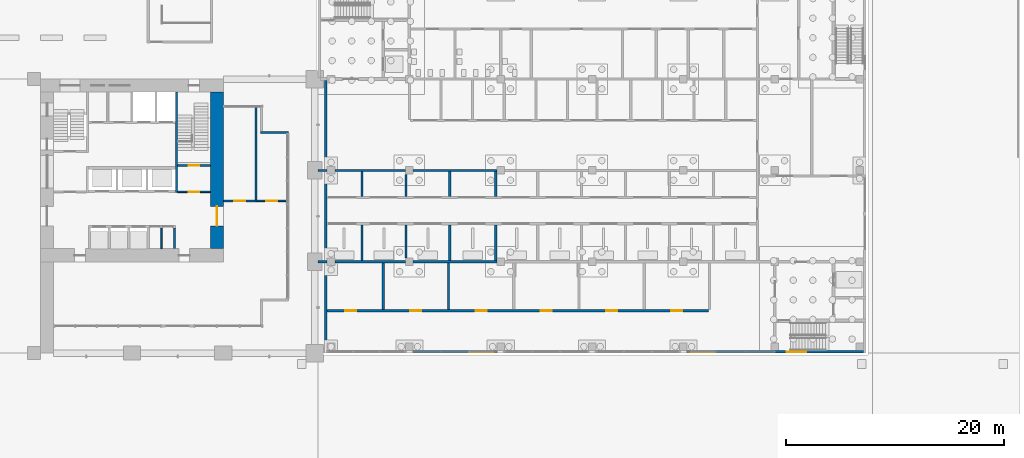
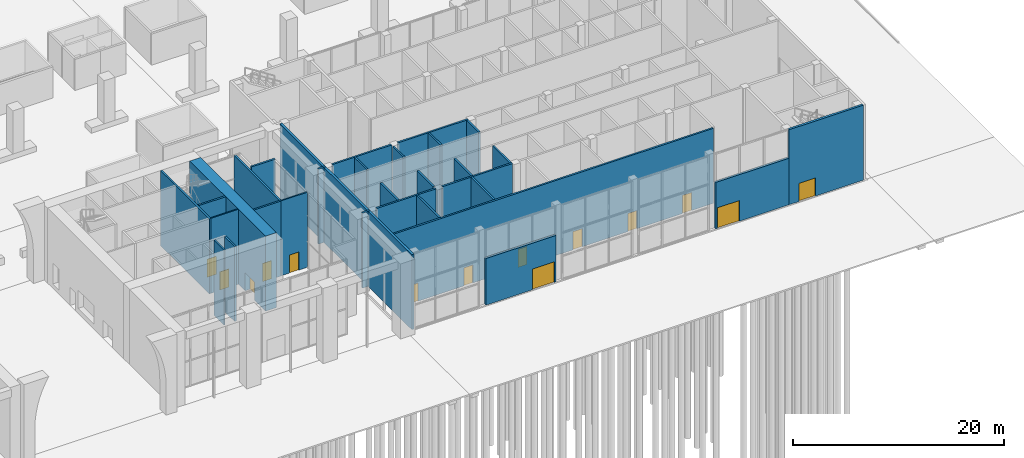
# One storey, part 23 of 46: 31 walls, 14 doors, 14 openings.
"""IFC4 building model written with IfcOpenShell, lengths in metres."""

import ifcopenshell
import ifcopenshell.guid

model = None  # the IFC model being written
_history = None  # IfcOwnerHistory: only IFC2X3 demands one
_inside = {}  # id of a spatial element -> (the spatial element, [elements in it])
_under = {}  # id of a project, library or spatial element -> (it, [spatial elements below it])
_declared = {}  # id of a project -> (the project, [libraries it declares])
_typed = {}  # id of a type object -> (the type object, [elements of that type])
_made_of = {}  # id of a material, layer set ... -> (it, [elements and type objects made of it])


def new_model(schema):
    """Start an empty IFC model of exactly this schema.

    Asked for "IFC4X3", IfcOpenShell would pick the latest addendum, in which some entities
    have other attributes; the version numbers below select the first issue.
    IFC2X3 requires an IfcOwnerHistory on every rooted entity: one is made here for all.
    """
    global model, _history
    if schema == "IFC4X3":
        model = ifcopenshell.file(schema_version=(4, 3, 0, 0))
    else:
        model = ifcopenshell.file(schema=schema)
    _inside.clear()
    _under.clear()
    _declared.clear()
    _typed.clear()
    _made_of.clear()
    _history = None
    if model.schema == "IFC2X3":
        org = make("IfcOrganization", Name="unknown")
        user = make(
            "IfcPersonAndOrganization",
            ThePerson=make("IfcPerson", FamilyName="unknown"),
            TheOrganization=org,
        )
        app = make(
            "IfcApplication",
            ApplicationDeveloper=org,
            Version="unknown",
            ApplicationFullName="unknown",
            ApplicationIdentifier="unknown",
        )
        _history = make(
            "IfcOwnerHistory",
            OwningUser=user,
            OwningApplication=app,
            ChangeAction="ADDED",
            CreationDate=0,
        )
    return model


def make(cls, **values):
    """One entity of the class cls with the attributes given. An attribute that is None is left unset."""
    return model.create_entity(
        cls, **{name: value for name, value in values.items() if value is not None}
    )


def rooted(cls, **values):
    """An entity with a GlobalId (a new one), such as an element, a storey or a relation."""
    return make(cls, GlobalId=ifcopenshell.guid.new(), OwnerHistory=_history, **values)


def si_unit(unit_type, name, prefix=None):
    """IfcSIUnit, for example si_unit("LENGTHUNIT", "METRE", prefix="MILLI")."""
    return make("IfcSIUnit", UnitType=unit_type, Prefix=prefix, Name=name)


def assignment(units):
    """IfcUnitAssignment: the units of a project."""
    return None if units is None else make("IfcUnitAssignment", Units=units)


def point(xyz):
    """IfcCartesianPoint."""
    return None if xyz is None else make("IfcCartesianPoint", Coordinates=xyz)


def direction(xyz):
    """IfcDirection."""
    return None if xyz is None else make("IfcDirection", DirectionRatios=xyz)


def frame(location, z_axis=None, x_axis=None):
    """IfcAxis2Placement3D, a coordinate frame: its origin and axes. An axis left out is left unset."""
    return make(
        "IfcAxis2Placement3D",
        Location=point(location),
        Axis=direction(z_axis),
        RefDirection=direction(x_axis),
    )


def frame_2d(location, x_axis=None):
    """IfcAxis2Placement2D, a coordinate frame in the plane: its origin and x axis."""
    return make(
        "IfcAxis2Placement2D", Location=point(location), RefDirection=direction(x_axis)
    )


def origin():
    """The frame at (0, 0, 0) with its axes left unset."""
    return frame((0.0, 0.0, 0.0))


def place(relative_to, where):
    """IfcLocalPlacement: puts the frame where relative to a parent placement (None: the world)."""
    return make(
        "IfcLocalPlacement", PlacementRelTo=relative_to, RelativePlacement=where
    )


def context(
    kind, dimensions, precision=None, world=None, true_north=None, identifier=None
):
    """IfcGeometricRepresentationContext, for example the 3D "Model" context."""
    return make(
        "IfcGeometricRepresentationContext",
        ContextIdentifier=identifier,
        ContextType=kind,
        CoordinateSpaceDimension=dimensions,
        Precision=precision,
        WorldCoordinateSystem=world,
        TrueNorth=true_north,
    )


def subcontext(parent, identifier, kind, view, scale=None):
    """IfcGeometricRepresentationSubContext, for example "Body" below "Model"."""
    return make(
        "IfcGeometricRepresentationSubContext",
        ContextIdentifier=identifier,
        ContextType=kind,
        ParentContext=parent,
        TargetScale=scale,
        TargetView=view,
    )


def project(units=None, contexts=None):
    """IfcProject with its units and contexts."""
    return rooted(
        "IfcProject",
        Name="project",
        RepresentationContexts=contexts,
        UnitsInContext=assignment(units),
    )


def spatial(cls, under=None, at=None, **own):
    """A site, building, storey or space (cls), placed at a placement, below another one or the project."""
    s = rooted(cls, ObjectPlacement=at, **own)
    if under is not None:
        _under.setdefault(under.id(), (under, []))[1].append(s)
    return s


def profile(cls, at=None, kind="AREA", **sizes):
    """A parametric profile (cls). Its sizes go by their IFC names, for example OverallWidth=200.0."""
    return make(cls, ProfileType=kind, Position=at, **sizes)


def rectangle(**sizes):
    """IfcRectangleProfileDef."""
    return profile("IfcRectangleProfileDef", **sizes)


def extrude(swept, where, along, depth):
    """IfcExtrudedAreaSolid: the profile swept, set in the frame where, extruded along a direction by depth."""
    return make(
        "IfcExtrudedAreaSolid",
        SweptArea=swept,
        Position=where,
        ExtrudedDirection=direction(along),
        Depth=depth,
    )


def shape(context_of_items, identifier, shape_type, items):
    """IfcShapeRepresentation: the items that make up one representation, for example the "Body"."""
    return make(
        "IfcShapeRepresentation",
        ContextOfItems=context_of_items,
        RepresentationIdentifier=identifier,
        RepresentationType=shape_type,
        Items=items,
    )


def material(Name=None, Category=None):
    """IfcMaterial."""
    return make("IfcMaterial", Name=Name, Category=Category)


def layer(
    of_material, thickness, ventilated=None, Name=None, Category=None, Priority=None
):
    """IfcMaterialLayer: one layer of a wall or slab, of a material (None: an air gap)."""
    return make(
        "IfcMaterialLayer",
        Material=of_material,
        LayerThickness=thickness,
        IsVentilated=ventilated,
        Name=Name,
        Category=Category,
        Priority=Priority,
    )


def layer_set(layers, Name=None):
    """IfcMaterialLayerSet."""
    return make("IfcMaterialLayerSet", MaterialLayers=layers, LayerSetName=Name)


def made_of(thing, what):
    """Note that an element or type object is made of a material, layer set ...; save() writes the relation."""
    if what is not None:
        _made_of.setdefault(what.id(), (what, []))[1].append(thing)
    return thing


def type_object(cls, material=None, **own):
    """A type object (cls), such as IfcWallType, which elements share."""
    return made_of(rooted(cls, **own), material)


def element(
    cls,
    number,
    at=None,
    inside=None,
    cuts=None,
    type_object=None,
    material=None,
    context=None,
    identifier="Body",
    shape_type=None,
    held_by="IfcProductDefinitionShape",
    body=None,
    shapes=None,
    **own,
):
    """One element of the class cls, such as IfcWall. Its Tag is "e" and its number.

    at: its placement. inside: the storey or other place that contains it. cuts: it is an
    opening in that element (IfcRelVoidsElement). A single representation is given by context,
    identifier, shape_type and body (its items); several are given by shapes. held_by: the class
    of the entity that holds the representations. save() writes the other relations.
    """
    e = rooted(cls, Tag="e%d" % number, ObjectPlacement=at, **own)
    if body is not None:
        shapes = [shape(context, identifier, shape_type, body)]
    if shapes is not None:
        e.Representation = make(held_by, Representations=shapes)
    if inside is not None:
        _inside.setdefault(inside.id(), (inside, []))[1].append(e)
    if cuts is not None:
        rooted(
            "IfcRelVoidsElement", RelatingBuildingElement=cuts, RelatedOpeningElement=e
        )
    if type_object is not None:
        _typed.setdefault(type_object.id(), (type_object, []))[1].append(e)
    return made_of(e, material)


def fill(opening, filler):
    """IfcRelFillsElement: the door or window that sits in an opening."""
    return rooted(
        "IfcRelFillsElement",
        RelatingOpeningElement=opening,
        RelatedBuildingElement=filler,
    )


def aggregate(whole, parts):
    """IfcRelAggregates: a whole, such as a stair, and the parts it consists of."""
    return rooted("IfcRelAggregates", RelatingObject=whole, RelatedObjects=parts)


def save(model, path):
    """Write the relations noted so far, then the file.

    IfcRelAggregates (storeys below a building ...), IfcRelContainedInSpatialStructure (elements
    in a storey), IfcRelDefinesByType, IfcRelAssociatesMaterial and IfcRelDeclares: one each for
    every whole, place, type object, material and project.
    """
    for whole, parts in _under.values():
        aggregate(whole, parts)
    for where, things in _inside.values():
        rooted(
            "IfcRelContainedInSpatialStructure",
            RelatedElements=things,
            RelatingStructure=where,
        )
    for kind, things in _typed.values():
        rooted("IfcRelDefinesByType", RelatedObjects=things, RelatingType=kind)
    for what, things in _made_of.values():
        rooted("IfcRelAssociatesMaterial", RelatedObjects=things, RelatingMaterial=what)
    for by, libraries in _declared.values():
        rooted("IfcRelDeclares", RelatingContext=by, RelatedDefinitions=libraries)
    model.write(path)


model = new_model("IFC4")

# Units and contexts
model_context = context("Model", 3, precision=1e-05, world=origin(), true_north=direction((0.0, 1.0)))
body_context = subcontext(model_context, "Body", "Model", "MODEL_VIEW")
ifc_project = project(units=[si_unit("LENGTHUNIT", "METRE"), si_unit("AREAUNIT", "SQUARE_METRE"), si_unit("VOLUMEUNIT", "CUBIC_METRE"), si_unit("PLANEANGLEUNIT", "RADIAN"), si_unit("MASSUNIT", "GRAM", prefix="KILO")], contexts=[model_context])

# Site, building, storey
site_placement = place(None, origin())
site = spatial("IfcSite", under=ifc_project, at=site_placement, CompositionType="ELEMENT")
building_placement = place(site_placement, origin())
building = spatial("IfcBuilding", under=site, at=building_placement, Name="Vermilion Gate Residences", CompositionType="ELEMENT")
storey_placement = place(building_placement, origin())
storey = spatial("IfcBuildingStorey", under=building, at=storey_placement, Name="L00", CompositionType="ELEMENT", Elevation=0.0)

# Wall
ifc_material_1 = material(Name="Masonry blockwork", Category="masonry")
ifc_layer_1 = layer(ifc_material_1, 0.14990234375)
ifc_layer_set_1 = layer_set([ifc_layer_1], Name="BLOCKWORK PARTITION 150 EI 120")
wall_type_1 = type_object("IfcWallType", Name="BLOCKWORK PARTITION 150 EI 120", PredefinedType="PARTITIONING", material=ifc_layer_set_1)
wall_1_placement = place(storey_placement, frame((53.10009765625, 9.60009765625, 0.0), z_axis=(0.0, 0.0, 1.0), x_axis=(0.0, 1.0, 0.0)))
element("IfcWall", 1, at=wall_1_placement, inside=storey, type_object=wall_type_1, Name="Core room partition A00-SR-P0", PredefinedType="PARTITIONING", context=body_context, shape_type="SweptSolid", body=[
    extrude(rectangle(XDim=1.89990234375, YDim=0.14990234375, at=frame_2d((0.949951171875, 0.0))), origin(), (0.0, 0.0, 1.0), 8.699951171875),
])

# Wall, opening, door
wall_2_placement = place(storey_placement, frame((54.60009765625, 14.824951171875, 0.0), z_axis=(0.0, 0.0, 1.0), x_axis=(1.0, 0.0, 0.0)))
wall_2 = element("IfcWall", 2, at=wall_2_placement, inside=storey, type_object=wall_type_1, Name="Core room partition A00-VE-S", PredefinedType="PARTITIONING", context=body_context, shape_type="SweptSolid", body=[
    extrude(rectangle(XDim=3.0, YDim=0.14990234375, at=frame_2d((1.5, 0.0))), origin(), (0.0, 0.0, 1.0), 8.699951171875),
])
opening_1_placement = place(wall_2_placement, frame((1.0, 0.0, 0.0)))
opening_1 = element("IfcOpeningElement", 3, at=opening_1_placement, cuts=wall_2, Name="Opening DK00021", PredefinedType="OPENING", context=body_context, shape_type="SweptSolid", body=[
    extrude(rectangle(XDim=1.0, YDim=2.10009765625, at=frame_2d((0.5, 1.050048828125))), frame((0.0, 0.0849609375, 0.0), z_axis=(0.0, -1.0, 0.0), x_axis=(1.0, 0.0, 0.0)), (0.0, 0.0, 1.0), 0.169921875),
])
ifc_material_2 = material(Name="Steel", Category="steel")
door_type_1 = type_object("IfcDoorType", Name="FIRE DOOR FD60 1000 X 2100", OperationType="SINGLE_SWING_LEFT", PredefinedType="DOOR", material=ifc_material_2)
door_1_placement = place(opening_1_placement, frame((1.0, 0.0, 0.0), z_axis=(0.0, 0.0, 1.0), x_axis=(-1.0, 0.0, 0.0)))
door_1 = element("IfcDoor", 4, at=door_1_placement, inside=storey, type_object=door_type_1, Name="Stair vestibule door A00", OperationType="SINGLE_SWING_LEFT", OverallHeight=2.10009765625, OverallWidth=1.0, PredefinedType="DOOR", context=body_context, shape_type="SweptSolid", body=[
    extrude(rectangle(XDim=1.0, YDim=2.10009765625, at=frame_2d((0.5, 1.050048828125))), frame((0.0, 0.02490234375, 0.0), z_axis=(0.0, -1.0, 0.0), x_axis=(1.0, 0.0, 0.0)), (0.0, 0.0, 1.0), 0.050048828125),
])
fill(opening_1, door_1)

# Walls
ifc_material_3 = material(Name="Insulated steel stud wall with terracotta rainscreen", Category="masonry")
ifc_layer_2 = layer(ifc_material_3, 0.199951171875)
ifc_layer_set_2 = layer_set([ifc_layer_2], Name="EXTERNAL WALL 200 TERRACOTTA RAINSCREEN")
wall_type_2 = type_object("IfcWallType", Name="EXTERNAL WALL 200 TERRACOTTA RAINSCREEN", PredefinedType="SOLIDWALL", material=ifc_layer_set_2)
wall_3_placement = place(storey_placement, frame((64.800048828125, 20.300048828125, 0.0), z_axis=(0.0, 0.0, 1.0), x_axis=(-1.0, 0.0, 0.0)))
element("IfcWall", 5, at=wall_3_placement, inside=storey, type_object=wall_type_2, Name="External wall", PredefinedType="SOLIDWALL", context=body_context, shape_type="SweptSolid", body=[
    extrude(rectangle(XDim=2.60009765625, YDim=0.199951171875, at=frame_2d((1.300048828125, 0.0))), origin(), (0.0, 0.0, 1.0), 8.699951171875),
])
ifc_material_4 = material(Name="Insulated masonry", Category="masonry")
ifc_layer_3 = layer(ifc_material_4, 0.25)
ifc_layer_set_3 = layer_set([ifc_layer_3], Name="EXTERNAL WALL 250 MASONRY (MARKET HALL)")
wall_type_3 = type_object("IfcWallType", Name="EXTERNAL WALL 250 MASONRY (MARKET HALL)", PredefinedType="SOLIDWALL", material=ifc_layer_set_3)
wall_4_placement = place(storey_placement, frame((68.22509765625, 0.0, 0.0), z_axis=(0.0, 0.0, 1.0), x_axis=(0.0, 1.0, 0.0)))
element("IfcWall", 6, at=wall_4_placement, inside=storey, type_object=wall_type_3, Name="External wall L00-46", PredefinedType="SOLIDWALL", context=body_context, shape_type="SweptSolid", body=[
    extrude(rectangle(XDim=25.074951171875, YDim=0.25, at=frame_2d((12.53759765625, 0.0))), origin(), (0.0, 0.0, 1.0), 8.699951171875),
])

# Wall, opening, door
ifc_material_5 = material(Name="Insulated masonry", Category="masonry")
ifc_layer_4 = layer(ifc_material_5, 0.25)
ifc_layer_set_4 = layer_set([ifc_layer_4], Name="EXTERNAL WALL 250 MASONRY 5400 HIGH (MARKET HALL)")
wall_type_4 = type_object("IfcWallType", Name="EXTERNAL WALL 250 MASONRY 5400 HIGH (MARKET HALL)", PredefinedType="SOLIDWALL", material=ifc_layer_set_4)
wall_5_placement = place(storey_placement, frame((76.25, 0.125, 0.0), z_axis=(0.0, 0.0, 1.0), x_axis=(1.0, 0.0, 0.0)))
wall_5 = element("IfcWall", 7, at=wall_5_placement, inside=storey, type_object=wall_type_4, Name="External wall L00-2", PredefinedType="SOLIDWALL", context=body_context, shape_type="SweptSolid", body=[
    extrude(rectangle(XDim=7.699951171875, YDim=0.25, at=frame_2d((3.85009765625, 0.0))), origin(), (0.0, 0.0, 1.0), 5.39990234375),
])
opening_2_placement = place(wall_5_placement, frame((5.10009765625, 0.0, 0.0)))
opening_2 = element("IfcOpeningElement", 8, at=opening_2_placement, cuts=wall_5, Name="Opening DH00056", PredefinedType="OPENING", context=body_context, shape_type="SweptSolid", body=[
    extrude(rectangle(XDim=2.39990234375, YDim=2.39990234375, at=frame_2d((1.199951171875, 1.199951171875))), frame((0.0, 0.135009765625, 0.0), z_axis=(0.0, -1.0, 0.0), x_axis=(1.0, 0.0, 0.0)), (0.0, 0.0, 1.0), 0.27001953125),
])
ifc_material_6 = material(Name="Aluminium and glass", Category="aluminium")
door_type_2 = type_object("IfcDoorType", Name="ENTRANCE DOOR 2400 X 2400 DOUBLE (MARKET HALL)", OperationType="DOUBLE_DOOR_SINGLE_SWING", PredefinedType="DOOR", material=ifc_material_6)
door_2_placement = place(opening_2_placement, frame((2.39990234375, 0.0, 0.0), z_axis=(0.0, 0.0, 1.0), x_axis=(-1.0, 0.0, 0.0)))
door_2 = element("IfcDoor", 9, at=door_2_placement, inside=storey, type_object=door_type_2, Name="Entrance door DH00056", OperationType="DOUBLE_DOOR_SINGLE_SWING", OverallHeight=2.39990234375, OverallWidth=2.39990234375, PredefinedType="DOOR", context=body_context, shape_type="SweptSolid", body=[
    extrude(rectangle(XDim=2.39990234375, YDim=2.39990234375, at=frame_2d((1.199951171875, 1.199951171875))), frame((0.0, 0.02490234375, 0.0), z_axis=(0.0, -1.0, 0.0), x_axis=(1.0, 0.0, 0.0)), (0.0, 0.0, 1.0), 0.050048828125),
])
fill(opening_2, door_2)

wall_6_placement = place(storey_placement, frame((101.449951171875, 0.125, 0.0), z_axis=(0.0, 0.0, 1.0), x_axis=(1.0, 0.0, 0.0)))
wall_6 = element("IfcWall", 10, at=wall_6_placement, inside=storey, type_object=wall_type_4, Name="External wall L00-5", PredefinedType="SOLIDWALL", context=body_context, shape_type="SweptSolid", body=[
    extrude(rectangle(XDim=8.050048828125, YDim=0.25, at=frame_2d((4.02490234375, 0.0))), origin(), (0.0, 0.0, 1.0), 5.39990234375),
])
opening_3_placement = place(wall_6_placement, frame((0.199951171875, 0.0, 0.0)))
opening_3 = element("IfcOpeningElement", 11, at=opening_3_placement, cuts=wall_6, Name="Opening DH00057", PredefinedType="OPENING", context=body_context, shape_type="SweptSolid", body=[
    extrude(rectangle(XDim=2.39990234375, YDim=2.39990234375, at=frame_2d((1.199951171875, 1.199951171875))), frame((0.0, 0.135009765625, 0.0), z_axis=(0.0, -1.0, 0.0), x_axis=(1.0, 0.0, 0.0)), (0.0, 0.0, 1.0), 0.27001953125),
])
door_3_placement = place(opening_3_placement, frame((2.39990234375, 0.0, 0.0), z_axis=(0.0, 0.0, 1.0), x_axis=(-1.0, 0.0, 0.0)))
door_3 = element("IfcDoor", 12, at=door_3_placement, inside=storey, type_object=door_type_2, Name="Entrance door DH00057", OperationType="DOUBLE_DOOR_SINGLE_SWING", OverallHeight=2.39990234375, OverallWidth=2.39990234375, PredefinedType="DOOR", context=body_context, shape_type="SweptSolid", body=[
    extrude(rectangle(XDim=2.39990234375, YDim=2.39990234375, at=frame_2d((1.199951171875, 1.199951171875))), frame((0.0, 0.02490234375, 0.0), z_axis=(0.0, -1.0, 0.0), x_axis=(1.0, 0.0, 0.0)), (0.0, 0.0, 1.0), 0.050048828125),
])
fill(opening_3, door_3)

ifc_material_7 = material(Name="Concrete blockwork", Category="masonry")
ifc_layer_5 = layer(ifc_material_7, 0.199951171875)
ifc_layer_set_5 = layer_set([ifc_layer_5], Name="FULL-HEIGHT FIRE WALL 200 EI 120 (AMENITY)")
wall_type_5 = type_object("IfcWallType", Name="FULL-HEIGHT FIRE WALL 200 EI 120 (AMENITY)", PredefinedType="PARTITIONING", material=ifc_layer_set_5)
wall_7_placement = place(storey_placement, frame((58.800048828125, 14.0, 0.0), z_axis=(0.0, 0.0, 1.0), x_axis=(1.0, 0.0, 0.0)))
wall_7 = element("IfcWall", 13, at=wall_7_placement, inside=storey, type_object=wall_type_5, Name="Fire-resisting wall 26", PredefinedType="PARTITIONING", context=body_context, shape_type="SweptSolid", body=[
    extrude(rectangle(XDim=3.0, YDim=0.199951171875, at=frame_2d((1.5, 0.0))), origin(), (0.0, 0.0, 1.0), 8.699951171875),
])
opening_4_placement = place(wall_7_placement, frame((1.0, 0.0, 0.0)))
opening_4 = element("IfcOpeningElement", 14, at=opening_4_placement, cuts=wall_7, Name="Opening DM00009", PredefinedType="OPENING", context=body_context, shape_type="SweptSolid", body=[
    extrude(rectangle(XDim=1.0, YDim=2.10009765625, at=frame_2d((0.5, 1.050048828125))), frame((0.0, 0.10986328125, 0.0), z_axis=(0.0, -1.0, 0.0), x_axis=(1.0, 0.0, 0.0)), (0.0, 0.0, 1.0), 0.219970703125),
])
ifc_material_8 = material(Name="Steel", Category="steel")
door_type_3 = type_object("IfcDoorType", Name="DOOR 1000 X 2100 FD60 (AMENITY)", OperationType="SINGLE_SWING_LEFT", PredefinedType="DOOR", material=ifc_material_8)
door_4_placement = place(opening_4_placement, origin())
door_4 = element("IfcDoor", 15, at=door_4_placement, inside=storey, type_object=door_type_3, Name="Door L00 9", OperationType="SINGLE_SWING_RIGHT", OverallHeight=2.10009765625, OverallWidth=1.0, PredefinedType="DOOR", context=body_context, shape_type="SweptSolid", body=[
    extrude(rectangle(XDim=1.0, YDim=2.10009765625, at=frame_2d((0.5, 1.050048828125))), frame((0.0, 0.02490234375, 0.0), z_axis=(0.0, -1.0, 0.0), x_axis=(1.0, 0.0, 0.0)), (0.0, 0.0, 1.0), 0.050048828125),
])
fill(opening_4, door_4)

# Wall
wall_8_placement = place(storey_placement, frame((61.800048828125, 14.10009765625, 0.0), z_axis=(0.0, 0.0, 1.0), x_axis=(0.0, 1.0, 0.0)))
element("IfcWall", 16, at=wall_8_placement, inside=storey, type_object=wall_type_5, Name="Fire-resisting wall 27", PredefinedType="PARTITIONING", context=body_context, shape_type="SweptSolid", body=[
    extrude(rectangle(XDim=8.599853515625, YDim=0.199951171875, at=frame_2d((4.2998046875, 0.0))), origin(), (0.0, 0.0, 1.0), 8.699951171875),
])

# Wall, opening, door
ifc_material_9 = material(Name="Gypsum board on steel studs", Category="steel")
ifc_layer_6 = layer(ifc_material_9, 0.14990234375)
ifc_layer_set_6 = layer_set([ifc_layer_6], Name="PARTITION 150 EI 60 (AMENITY)")
wall_type_6 = type_object("IfcWallType", Name="PARTITION 150 EI 60 (AMENITY)", PredefinedType="PARTITIONING", material=ifc_layer_set_6)
wall_9_placement = place(storey_placement, frame((61.800048828125, 14.0, 0.0), z_axis=(0.0, 0.0, 1.0), x_axis=(1.0, 0.0, 0.0)))
wall_9 = element("IfcWall", 17, at=wall_9_placement, inside=storey, type_object=wall_type_6, Name="Partition 28", PredefinedType="PARTITIONING", context=body_context, shape_type="SweptSolid", body=[
    extrude(rectangle(XDim=2.89990234375, YDim=0.14990234375, at=frame_2d((1.449951171875, 0.0))), origin(), (0.0, 0.0, 1.0), 8.699951171875),
])
opening_5_placement = place(wall_9_placement, frame((0.949951171875, 0.0, 0.0)))
opening_5 = element("IfcOpeningElement", 18, at=opening_5_placement, cuts=wall_9, Name="Opening DM00010", PredefinedType="OPENING", context=body_context, shape_type="SweptSolid", body=[
    extrude(rectangle(XDim=1.0, YDim=2.10009765625, at=frame_2d((0.5, 1.050048828125))), frame((0.0, 0.0849609375, 0.0), z_axis=(0.0, -1.0, 0.0), x_axis=(1.0, 0.0, 0.0)), (0.0, 0.0, 1.0), 0.169921875),
])
ifc_material_10 = material(Name="Steel", Category="steel")
door_type_4 = type_object("IfcDoorType", Name="DOOR 1000 X 2100 FD30 (AMENITY)", OperationType="SINGLE_SWING_LEFT", PredefinedType="DOOR", material=ifc_material_10)
door_5_placement = place(opening_5_placement, origin())
door_5 = element("IfcDoor", 19, at=door_5_placement, inside=storey, type_object=door_type_4, Name="Door L00 10", OperationType="SINGLE_SWING_LEFT", OverallHeight=2.10009765625, OverallWidth=1.0, PredefinedType="DOOR", context=body_context, shape_type="SweptSolid", body=[
    extrude(rectangle(XDim=1.0, YDim=2.10009765625, at=frame_2d((0.5, 1.050048828125))), frame((0.0, 0.02490234375, 0.0), z_axis=(0.0, -1.0, 0.0), x_axis=(1.0, 0.0, 0.0)), (0.0, 0.0, 1.0), 0.050048828125),
])
fill(opening_5, door_5)

# Wall, openings, doors
ifc_material_11 = material(Name="Masonry", Category="masonry")
ifc_layer_7 = layer(ifc_material_11, 0.199951171875)
ifc_layer_set_7 = layer_set([ifc_layer_7], Name="PARTITION 200 MASONRY EI 60 (MARKET HALL)")
wall_type_7 = type_object("IfcWallType", Name="PARTITION 200 MASONRY EI 60 (MARKET HALL)", PredefinedType="PARTITIONING", material=ifc_layer_set_7)
wall_10_placement = place(storey_placement, frame((68.35009765625, 3.89990234375, 0.0), z_axis=(0.0, 0.0, 1.0), x_axis=(1.0, 0.0, 0.0)))
wall_10 = element("IfcWall", 20, at=wall_10_placement, inside=storey, type_object=wall_type_7, Name="Partition wall L00-8", PredefinedType="PARTITIONING", context=body_context, shape_type="SweptSolid", body=[
    extrude(rectangle(XDim=35.0498046875, YDim=0.199951171875, at=frame_2d((17.52490234375, 0.0))), origin(), (0.0, 0.0, 1.0), 8.699951171875),
])
opening_6_placement = place(wall_10_placement, frame((1.64990234375, 0.0, 0.0)))
opening_6 = element("IfcOpeningElement", 21, at=opening_6_placement, cuts=wall_10, Name="Opening DH00001", PredefinedType="OPENING", context=body_context, shape_type="SweptSolid", body=[
    extrude(rectangle(XDim=1.0, YDim=2.10009765625, at=frame_2d((0.5, 1.050048828125))), frame((0.0, 0.10986328125, 0.0), z_axis=(0.0, -1.0, 0.0), x_axis=(1.0, 0.0, 0.0)), (0.0, 0.0, 1.0), 0.219970703125),
])
opening_7_placement = place(wall_10_placement, frame((7.64990234375, 0.0, 0.0)))
opening_7 = element("IfcOpeningElement", 22, at=opening_7_placement, cuts=wall_10, Name="Opening DH00002", PredefinedType="OPENING", context=body_context, shape_type="SweptSolid", body=[
    extrude(rectangle(XDim=1.0, YDim=2.10009765625, at=frame_2d((0.5, 1.050048828125))), frame((0.0, 0.10986328125, 0.0), z_axis=(0.0, -1.0, 0.0), x_axis=(1.0, 0.0, 0.0)), (0.0, 0.0, 1.0), 0.219970703125),
])
opening_8_placement = place(wall_10_placement, frame((13.64990234375, 0.0, 0.0)))
opening_8 = element("IfcOpeningElement", 23, at=opening_8_placement, cuts=wall_10, Name="Opening DH00003", PredefinedType="OPENING", context=body_context, shape_type="SweptSolid", body=[
    extrude(rectangle(XDim=1.0, YDim=2.10009765625, at=frame_2d((0.5, 1.050048828125))), frame((0.0, 0.10986328125, 0.0), z_axis=(0.0, -1.0, 0.0), x_axis=(1.0, 0.0, 0.0)), (0.0, 0.0, 1.0), 0.219970703125),
])
opening_9_placement = place(wall_10_placement, frame((19.64990234375, 0.0, 0.0)))
opening_9 = element("IfcOpeningElement", 24, at=opening_9_placement, cuts=wall_10, Name="Opening DH00004", PredefinedType="OPENING", context=body_context, shape_type="SweptSolid", body=[
    extrude(rectangle(XDim=1.0, YDim=2.10009765625, at=frame_2d((0.5, 1.050048828125))), frame((0.0, 0.10986328125, 0.0), z_axis=(0.0, -1.0, 0.0), x_axis=(1.0, 0.0, 0.0)), (0.0, 0.0, 1.0), 0.219970703125),
])
opening_10_placement = place(wall_10_placement, frame((25.64990234375, 0.0, 0.0)))
opening_10 = element("IfcOpeningElement", 25, at=opening_10_placement, cuts=wall_10, Name="Opening DH00005", PredefinedType="OPENING", context=body_context, shape_type="SweptSolid", body=[
    extrude(rectangle(XDim=1.0, YDim=2.10009765625, at=frame_2d((0.5, 1.050048828125))), frame((0.0, 0.10986328125, 0.0), z_axis=(0.0, -1.0, 0.0), x_axis=(1.0, 0.0, 0.0)), (0.0, 0.0, 1.0), 0.219970703125),
])
opening_11_placement = place(wall_10_placement, frame((31.64990234375, 0.0, 0.0)))
opening_11 = element("IfcOpeningElement", 26, at=opening_11_placement, cuts=wall_10, Name="Opening DH00006", PredefinedType="OPENING", context=body_context, shape_type="SweptSolid", body=[
    extrude(rectangle(XDim=1.0, YDim=2.10009765625, at=frame_2d((0.5, 1.050048828125))), frame((0.0, 0.10986328125, 0.0), z_axis=(0.0, -1.0, 0.0), x_axis=(1.0, 0.0, 0.0)), (0.0, 0.0, 1.0), 0.219970703125),
])
ifc_material_12 = material(Name="Steel", Category="steel")
door_type_5 = type_object("IfcDoorType", Name="FIRE DOOR FD30 1000 X 2100 (MARKET HALL)", OperationType="SINGLE_SWING_LEFT", PredefinedType="DOOR", material=ifc_material_12)
door_6_placement = place(opening_6_placement, origin())
door_6 = element("IfcDoor", 27, at=door_6_placement, inside=storey, type_object=door_type_5, Name="Fire door DH00001", OperationType="SINGLE_SWING_LEFT", OverallHeight=2.10009765625, OverallWidth=1.0, PredefinedType="DOOR", context=body_context, shape_type="SweptSolid", body=[
    extrude(rectangle(XDim=1.0, YDim=2.10009765625, at=frame_2d((0.5, 1.050048828125))), frame((0.0, 0.02490234375, 0.0), z_axis=(0.0, -1.0, 0.0), x_axis=(1.0, 0.0, 0.0)), (0.0, 0.0, 1.0), 0.050048828125),
])
fill(opening_6, door_6)
door_7_placement = place(opening_7_placement, origin())
door_7 = element("IfcDoor", 28, at=door_7_placement, inside=storey, type_object=door_type_5, Name="Fire door DH00002", OperationType="SINGLE_SWING_LEFT", OverallHeight=2.10009765625, OverallWidth=1.0, PredefinedType="DOOR", context=body_context, shape_type="SweptSolid", body=[
    extrude(rectangle(XDim=1.0, YDim=2.10009765625, at=frame_2d((0.5, 1.050048828125))), frame((0.0, 0.02490234375, 0.0), z_axis=(0.0, -1.0, 0.0), x_axis=(1.0, 0.0, 0.0)), (0.0, 0.0, 1.0), 0.050048828125),
])
fill(opening_7, door_7)
door_8_placement = place(opening_8_placement, origin())
door_8 = element("IfcDoor", 29, at=door_8_placement, inside=storey, type_object=door_type_5, Name="Fire door DH00003", OperationType="SINGLE_SWING_LEFT", OverallHeight=2.10009765625, OverallWidth=1.0, PredefinedType="DOOR", context=body_context, shape_type="SweptSolid", body=[
    extrude(rectangle(XDim=1.0, YDim=2.10009765625, at=frame_2d((0.5, 1.050048828125))), frame((0.0, 0.02490234375, 0.0), z_axis=(0.0, -1.0, 0.0), x_axis=(1.0, 0.0, 0.0)), (0.0, 0.0, 1.0), 0.050048828125),
])
fill(opening_8, door_8)
door_9_placement = place(opening_9_placement, origin())
door_9 = element("IfcDoor", 30, at=door_9_placement, inside=storey, type_object=door_type_5, Name="Fire door DH00004", OperationType="SINGLE_SWING_LEFT", OverallHeight=2.10009765625, OverallWidth=1.0, PredefinedType="DOOR", context=body_context, shape_type="SweptSolid", body=[
    extrude(rectangle(XDim=1.0, YDim=2.10009765625, at=frame_2d((0.5, 1.050048828125))), frame((0.0, 0.02490234375, 0.0), z_axis=(0.0, -1.0, 0.0), x_axis=(1.0, 0.0, 0.0)), (0.0, 0.0, 1.0), 0.050048828125),
])
fill(opening_9, door_9)
door_10_placement = place(opening_10_placement, origin())
door_10 = element("IfcDoor", 31, at=door_10_placement, inside=storey, type_object=door_type_5, Name="Fire door DH00005", OperationType="SINGLE_SWING_LEFT", OverallHeight=2.10009765625, OverallWidth=1.0, PredefinedType="DOOR", context=body_context, shape_type="SweptSolid", body=[
    extrude(rectangle(XDim=1.0, YDim=2.10009765625, at=frame_2d((0.5, 1.050048828125))), frame((0.0, 0.02490234375, 0.0), z_axis=(0.0, -1.0, 0.0), x_axis=(1.0, 0.0, 0.0)), (0.0, 0.0, 1.0), 0.050048828125),
])
fill(opening_10, door_10)
door_11_placement = place(opening_11_placement, origin())
door_11 = element("IfcDoor", 32, at=door_11_placement, inside=storey, type_object=door_type_5, Name="Fire door DH00006", OperationType="SINGLE_SWING_LEFT", OverallHeight=2.10009765625, OverallWidth=1.0, PredefinedType="DOOR", context=body_context, shape_type="SweptSolid", body=[
    extrude(rectangle(XDim=1.0, YDim=2.10009765625, at=frame_2d((0.5, 1.050048828125))), frame((0.0, 0.02490234375, 0.0), z_axis=(0.0, -1.0, 0.0), x_axis=(1.0, 0.0, 0.0)), (0.0, 0.0, 1.0), 0.050048828125),
])
fill(opening_11, door_11)

# Walls
wall_11_placement = place(storey_placement, frame((67.5, 8.39990234375, 0.0), z_axis=(0.0, 0.0, 1.0), x_axis=(1.0, 0.0, 0.0)))
element("IfcWall", 33, at=wall_11_placement, inside=storey, type_object=wall_type_7, Name="Partition wall L00-10", PredefinedType="PARTITIONING", context=body_context, shape_type="SweptSolid", body=[
    extrude(rectangle(XDim=0.85009765625, YDim=0.199951171875, at=frame_2d((0.425048828125, 0.0))), origin(), (0.0, 0.0, 1.0), 8.699951171875),
])
wall_12_placement = place(storey_placement, frame((69.050048828125, 8.39990234375, 0.0), z_axis=(0.0, 0.0, 1.0), x_axis=(1.0, 0.0, 0.0)))
element("IfcWall", 34, at=wall_12_placement, inside=storey, type_object=wall_type_7, Name="Partition wall L00-11", PredefinedType="PARTITIONING", context=body_context, shape_type="SweptSolid", body=[
    extrude(rectangle(XDim=6.5, YDim=0.199951171875, at=frame_2d((3.25, 0.0))), origin(), (0.0, 0.0, 1.0), 8.699951171875),
])
wall_13_placement = place(storey_placement, frame((76.25, 8.39990234375, 0.0), z_axis=(0.0, 0.0, 1.0), x_axis=(1.0, 0.0, 0.0)))
element("IfcWall", 35, at=wall_13_placement, inside=storey, type_object=wall_type_7, Name="Partition wall L00-12", PredefinedType="PARTITIONING", context=body_context, shape_type="SweptSolid", body=[
    extrude(rectangle(XDim=7.699951171875, YDim=0.199951171875, at=frame_2d((3.85009765625, 0.0))), origin(), (0.0, 0.0, 1.0), 8.699951171875),
])
wall_14_placement = place(storey_placement, frame((67.5, 16.800048828125, 0.0), z_axis=(0.0, 0.0, 1.0), x_axis=(1.0, 0.0, 0.0)))
element("IfcWall", 36, at=wall_14_placement, inside=storey, type_object=wall_type_7, Name="Partition wall L00-20", PredefinedType="PARTITIONING", context=body_context, shape_type="SweptSolid", body=[
    extrude(rectangle(XDim=0.85009765625, YDim=0.199951171875, at=frame_2d((0.425048828125, 0.0))), origin(), (0.0, 0.0, 1.0), 8.699951171875),
])
wall_15_placement = place(storey_placement, frame((69.050048828125, 16.800048828125, 0.0), z_axis=(0.0, 0.0, 1.0), x_axis=(1.0, 0.0, 0.0)))
element("IfcWall", 37, at=wall_15_placement, inside=storey, type_object=wall_type_7, Name="Partition wall L00-21", PredefinedType="PARTITIONING", context=body_context, shape_type="SweptSolid", body=[
    extrude(rectangle(XDim=6.5, YDim=0.199951171875, at=frame_2d((3.25, 0.0))), origin(), (0.0, 0.0, 1.0), 8.699951171875),
])
wall_16_placement = place(storey_placement, frame((76.25, 16.800048828125, 0.0), z_axis=(0.0, 0.0, 1.0), x_axis=(1.0, 0.0, 0.0)))
element("IfcWall", 38, at=wall_16_placement, inside=storey, type_object=wall_type_7, Name="Partition wall L00-22", PredefinedType="PARTITIONING", context=body_context, shape_type="SweptSolid", body=[
    extrude(rectangle(XDim=7.699951171875, YDim=0.199951171875, at=frame_2d((3.85009765625, 0.0))), origin(), (0.0, 0.0, 1.0), 8.699951171875),
])
wall_17_placement = place(storey_placement, frame((71.5400390625, 8.5, 0.0), z_axis=(0.0, 0.0, 1.0), x_axis=(0.0, 1.0, 0.0)))
element("IfcWall", 39, at=wall_17_placement, inside=storey, type_object=wall_type_7, Name="Partition wall L00-47", PredefinedType="PARTITIONING", context=body_context, shape_type="SweptSolid", body=[
    extrude(rectangle(XDim=3.300048828125, YDim=0.199951171875, at=frame_2d((1.64990234375, 0.0))), origin(), (0.0, 0.0, 1.0), 8.699951171875),
])
wall_18_placement = place(storey_placement, frame((71.5400390625, 14.39990234375, 0.0), z_axis=(0.0, 0.0, 1.0), x_axis=(0.0, 1.0, 0.0)))
element("IfcWall", 40, at=wall_18_placement, inside=storey, type_object=wall_type_7, Name="Partition wall L00-48", PredefinedType="PARTITIONING", context=body_context, shape_type="SweptSolid", body=[
    extrude(rectangle(XDim=2.300048828125, YDim=0.199951171875, at=frame_2d((1.14990234375, 0.0))), origin(), (0.0, 0.0, 1.0), 8.699951171875),
])
wall_19_placement = place(storey_placement, frame((73.5, 4.0, 0.0), z_axis=(0.0, 0.0, 1.0), x_axis=(0.0, 1.0, 0.0)))
element("IfcWall", 41, at=wall_19_placement, inside=storey, type_object=wall_type_7, Name="Partition wall L00-49", PredefinedType="PARTITIONING", context=body_context, shape_type="SweptSolid", body=[
    extrude(rectangle(XDim=4.300048828125, YDim=0.199951171875, at=frame_2d((2.14990234375, 0.0))), origin(), (0.0, 0.0, 1.0), 8.699951171875),
])
wall_20_placement = place(storey_placement, frame((75.580078125, 8.75, 0.0), z_axis=(0.0, 0.0, 1.0), x_axis=(0.0, 1.0, 0.0)))
element("IfcWall", 42, at=wall_20_placement, inside=storey, type_object=wall_type_7, Name="Partition wall L00-51", PredefinedType="PARTITIONING", context=body_context, shape_type="SweptSolid", body=[
    extrude(rectangle(XDim=3.050048828125, YDim=0.199951171875, at=frame_2d((1.52490234375, 0.0))), origin(), (0.0, 0.0, 1.0), 8.699951171875),
])
wall_21_placement = place(storey_placement, frame((75.580078125, 14.39990234375, 0.0), z_axis=(0.0, 0.0, 1.0), x_axis=(0.0, 1.0, 0.0)))
element("IfcWall", 43, at=wall_21_placement, inside=storey, type_object=wall_type_7, Name="Partition wall L00-52", PredefinedType="PARTITIONING", context=body_context, shape_type="SweptSolid", body=[
    extrude(rectangle(XDim=2.050048828125, YDim=0.199951171875, at=frame_2d((1.02490234375, 0.0))), origin(), (0.0, 0.0, 1.0), 8.699951171875),
])
wall_22_placement = place(storey_placement, frame((79.5, 4.0, 0.0), z_axis=(0.0, 0.0, 1.0), x_axis=(0.0, 1.0, 0.0)))
element("IfcWall", 44, at=wall_22_placement, inside=storey, type_object=wall_type_7, Name="Partition wall L00-56", PredefinedType="PARTITIONING", context=body_context, shape_type="SweptSolid", body=[
    extrude(rectangle(XDim=4.300048828125, YDim=0.199951171875, at=frame_2d((2.14990234375, 0.0))), origin(), (0.0, 0.0, 1.0), 8.699951171875),
])
wall_23_placement = place(storey_placement, frame((79.6201171875, 8.5, 0.0), z_axis=(0.0, 0.0, 1.0), x_axis=(0.0, 1.0, 0.0)))
element("IfcWall", 45, at=wall_23_placement, inside=storey, type_object=wall_type_7, Name="Partition wall L00-57", PredefinedType="PARTITIONING", context=body_context, shape_type="SweptSolid", body=[
    extrude(rectangle(XDim=3.300048828125, YDim=0.199951171875, at=frame_2d((1.64990234375, 0.0))), origin(), (0.0, 0.0, 1.0), 8.699951171875),
])
wall_24_placement = place(storey_placement, frame((79.6201171875, 14.39990234375, 0.0), z_axis=(0.0, 0.0, 1.0), x_axis=(0.0, 1.0, 0.0)))
element("IfcWall", 46, at=wall_24_placement, inside=storey, type_object=wall_type_7, Name="Partition wall L00-58", PredefinedType="PARTITIONING", context=body_context, shape_type="SweptSolid", body=[
    extrude(rectangle(XDim=2.300048828125, YDim=0.199951171875, at=frame_2d((1.14990234375, 0.0))), origin(), (0.0, 0.0, 1.0), 8.699951171875),
])
wall_25_placement = place(storey_placement, frame((83.85009765625, 8.5, 0.0), z_axis=(0.0, 0.0, 1.0), x_axis=(0.0, 1.0, 0.0)))
element("IfcWall", 47, at=wall_25_placement, inside=storey, type_object=wall_type_7, Name="Partition wall L00-61", PredefinedType="PARTITIONING", context=body_context, shape_type="SweptSolid", body=[
    extrude(rectangle(XDim=3.300048828125, YDim=0.199951171875, at=frame_2d((1.64990234375, 0.0))), origin(), (0.0, 0.0, 1.0), 8.699951171875),
])
wall_26_placement = place(storey_placement, frame((83.85009765625, 14.39990234375, 0.0), z_axis=(0.0, 0.0, 1.0), x_axis=(0.0, 1.0, 0.0)))
element("IfcWall", 48, at=wall_26_placement, inside=storey, type_object=wall_type_7, Name="Partition wall L00-62", PredefinedType="PARTITIONING", context=body_context, shape_type="SweptSolid", body=[
    extrude(rectangle(XDim=2.300048828125, YDim=0.199951171875, at=frame_2d((1.14990234375, 0.0))), origin(), (0.0, 0.0, 1.0), 8.699951171875),
])
ifc_material_13 = material(Name="Concrete C60", Category="concrete")
ifc_layer_8 = layer(ifc_material_13, 0.199951171875)
ifc_layer_set_8 = layer_set([ifc_layer_8], Name="RC CORE INTERNAL WALL 200 C60")
wall_type_8 = type_object("IfcWallType", Name="RC CORE INTERNAL WALL 200 C60", PredefinedType="SHEAR", material=ifc_layer_set_8)
wall_27_placement = place(storey_placement, frame((54.300048828125, 9.60009765625, 0.0), z_axis=(0.0, 0.0, 1.0), x_axis=(0.0, 1.0, 0.0)))
element("IfcWall", 49, at=wall_27_placement, inside=storey, type_object=wall_type_8, Name="Core internal wall A00-LR-DE", PredefinedType="SHEAR", context=body_context, shape_type="SweptSolid", body=[
    extrude(rectangle(XDim=1.89990234375, YDim=0.199951171875, at=frame_2d((0.949951171875, 0.0))), origin(), (0.0, 0.0, 1.0), 8.699951171875),
])
wall_28_placement = place(storey_placement, frame((54.5, 14.75, 0.0), z_axis=(0.0, 0.0, 1.0), x_axis=(0.0, 1.0, 0.0)))
element("IfcWall", 50, at=wall_28_placement, inside=storey, type_object=wall_type_8, Name="Core internal wall A00-EDIV", PredefinedType="SHEAR", context=body_context, shape_type="SweptSolid", body=[
    extrude(rectangle(XDim=9.25, YDim=0.199951171875, at=frame_2d((4.625, 0.0))), origin(), (0.0, 0.0, 1.0), 8.699951171875),
])

# Wall, opening, door
wall_29_placement = place(storey_placement, frame((54.60009765625, 17.25, 0.0), z_axis=(0.0, 0.0, 1.0), x_axis=(1.0, 0.0, 0.0)))
wall_29 = element("IfcWall", 51, at=wall_29_placement, inside=storey, type_object=wall_type_8, Name="Core internal wall A00-STE-S", PredefinedType="SHEAR", context=body_context, shape_type="SweptSolid", body=[
    extrude(rectangle(XDim=3.0, YDim=0.199951171875, at=frame_2d((1.5, 0.0))), origin(), (0.0, 0.0, 1.0), 8.699951171875),
])
opening_12_placement = place(wall_29_placement, frame((1.0, 0.0, 0.0)))
opening_12 = element("IfcOpeningElement", 52, at=opening_12_placement, cuts=wall_29, Name="Opening DK00022", PredefinedType="OPENING", context=body_context, shape_type="SweptSolid", body=[
    extrude(rectangle(XDim=1.0, YDim=2.10009765625, at=frame_2d((0.5, 1.050048828125))), frame((0.0, 0.10986328125, 0.0), z_axis=(0.0, -1.0, 0.0), x_axis=(1.0, 0.0, 0.0)), (0.0, 0.0, 1.0), 0.219970703125),
])
door_12_placement = place(opening_12_placement, origin())
door_12 = element("IfcDoor", 53, at=door_12_placement, inside=storey, type_object=door_type_1, Name="Stair door A00", OperationType="SINGLE_SWING_LEFT", OverallHeight=2.10009765625, OverallWidth=1.0, PredefinedType="DOOR", context=body_context, shape_type="SweptSolid", body=[
    extrude(rectangle(XDim=1.0, YDim=2.10009765625, at=frame_2d((0.5, 1.050048828125))), frame((0.0, 0.02490234375, 0.0), z_axis=(0.0, -1.0, 0.0), x_axis=(1.0, 0.0, 0.0)), (0.0, 0.0, 1.0), 0.050048828125),
])
fill(opening_12, door_12)

ifc_material_14 = material(Name="Concrete C80", Category="concrete")
ifc_layer_9 = layer(ifc_material_14, 1.199951171875)
ifc_layer_set_9 = layer_set([ifc_layer_9], Name="RC CORE WALL 1200 C80")
wall_type_9 = type_object("IfcWallType", Name="RC CORE WALL 1200 C80", PredefinedType="SHEAR", material=ifc_layer_set_9)
wall_30_placement = place(storey_placement, frame((58.199951171875, 9.60009765625, 0.0), z_axis=(0.0, 0.0, 1.0), x_axis=(0.0, 1.0, 0.0)))
wall_30 = element("IfcWall", 54, at=wall_30_placement, inside=storey, type_object=wall_type_9, Name="Core wall A00-OUT-BK", PredefinedType="SHEAR", context=body_context, shape_type="SweptSolid", body=[
    extrude(rectangle(XDim=14.39990234375, YDim=1.199951171875, at=frame_2d((7.199951171875, 0.0))), origin(), (0.0, 0.0, 1.0), 8.699951171875),
])
opening_13_placement = place(wall_30_placement, frame((2.10009765625, 0.0, 0.0)))
opening_13 = element("IfcOpeningElement", 55, at=opening_13_placement, cuts=wall_30, Name="Opening DK00006", PredefinedType="OPENING", context=body_context, shape_type="SweptSolid", body=[
    extrude(rectangle(XDim=1.800048828125, YDim=2.10009765625, at=frame_2d((0.89990234375, 1.050048828125))), frame((0.0, 0.60986328125, 0.0), z_axis=(0.0, -1.0, 0.0), x_axis=(1.0, 0.0, 0.0)), (0.0, 0.0, 1.0), 1.219970703125),
])
ifc_material_15 = material(Name="Steel", Category="steel")
door_type_6 = type_object("IfcDoorType", Name="CORE LOBBY DOOR FD60 1800 X 2100", OperationType="DOUBLE_DOOR_SINGLE_SWING", PredefinedType="DOOR", material=ifc_material_15)
door_13_placement = place(opening_13_placement, origin())
door_13 = element("IfcDoor", 56, at=door_13_placement, inside=storey, type_object=door_type_6, Name="Core lobby door A00", OperationType="DOUBLE_DOOR_SINGLE_SWING", OverallHeight=2.10009765625, OverallWidth=1.800048828125, PredefinedType="DOOR", context=body_context, shape_type="SweptSolid", body=[
    extrude(rectangle(XDim=1.800048828125, YDim=2.10009765625, at=frame_2d((0.89990234375, 1.050048828125))), frame((0.0, 0.02490234375, 0.0), z_axis=(0.0, -1.0, 0.0), x_axis=(1.0, 0.0, 0.0)), (0.0, 0.0, 1.0), 0.050048828125),
])
fill(opening_13, door_13)

ifc_material_16 = material(Name="Concrete C45", Category="concrete")
ifc_layer_10 = layer(ifc_material_16, 0.25)
ifc_layer_set_10 = layer_set([ifc_layer_10], Name="RC CORE WALL 250 C45 (MARKET HALL)")
wall_type_10 = type_object("IfcWallType", Name="RC CORE WALL 250 C45 (MARKET HALL)", PredefinedType="SHEAR", material=ifc_layer_set_10)
wall_31_placement = place(storey_placement, frame((109.5, 0.125, 0.0), z_axis=(0.0, 0.0, 1.0), x_axis=(1.0, 0.0, 0.0)))
wall_31 = element("IfcWall", 57, at=wall_31_placement, inside=storey, type_object=wall_type_10, Name="Core wall L00-6", PredefinedType="SHEAR", context=body_context, shape_type="SweptSolid", body=[
    extrude(rectangle(XDim=8.14990234375, YDim=0.25, at=frame_2d((4.074951171875, 0.0))), origin(), (0.0, 0.0, 1.0), 8.699951171875),
])
opening_14_placement = place(wall_31_placement, frame((1.10009765625, 0.0, 0.0)))
opening_14 = element("IfcOpeningElement", 58, at=opening_14_placement, cuts=wall_31, Name="Opening DH00072", PredefinedType="OPENING", context=body_context, shape_type="SweptSolid", body=[
    extrude(rectangle(XDim=1.800048828125, YDim=2.10009765625, at=frame_2d((0.89990234375, 1.050048828125))), frame((0.0, 0.135009765625, 0.0), z_axis=(0.0, -1.0, 0.0), x_axis=(1.0, 0.0, 0.0)), (0.0, 0.0, 1.0), 0.27001953125),
])
ifc_material_17 = material(Name="Steel", Category="steel")
door_type_7 = type_object("IfcDoorType", Name="EXIT DOOR FD60 1800 X 2100 DOUBLE (MARKET HALL)", OperationType="DOUBLE_DOOR_SINGLE_SWING", PredefinedType="DOOR", material=ifc_material_17)
door_14_placement = place(opening_14_placement, frame((1.800048828125, 0.0, 0.0), z_axis=(0.0, 0.0, 1.0), x_axis=(-1.0, 0.0, 0.0)))
door_14 = element("IfcDoor", 59, at=door_14_placement, inside=storey, type_object=door_type_7, Name="Exit door DH00072", OperationType="DOUBLE_DOOR_SINGLE_SWING", OverallHeight=2.10009765625, OverallWidth=1.800048828125, PredefinedType="DOOR", context=body_context, shape_type="SweptSolid", body=[
    extrude(rectangle(XDim=1.800048828125, YDim=2.10009765625, at=frame_2d((0.89990234375, 1.050048828125))), frame((0.0, 0.02490234375, 0.0), z_axis=(0.0, -1.0, 0.0), x_axis=(1.0, 0.0, 0.0)), (0.0, 0.0, 1.0), 0.050048828125),
])
fill(opening_14, door_14)

save(model, "model.ifc")
